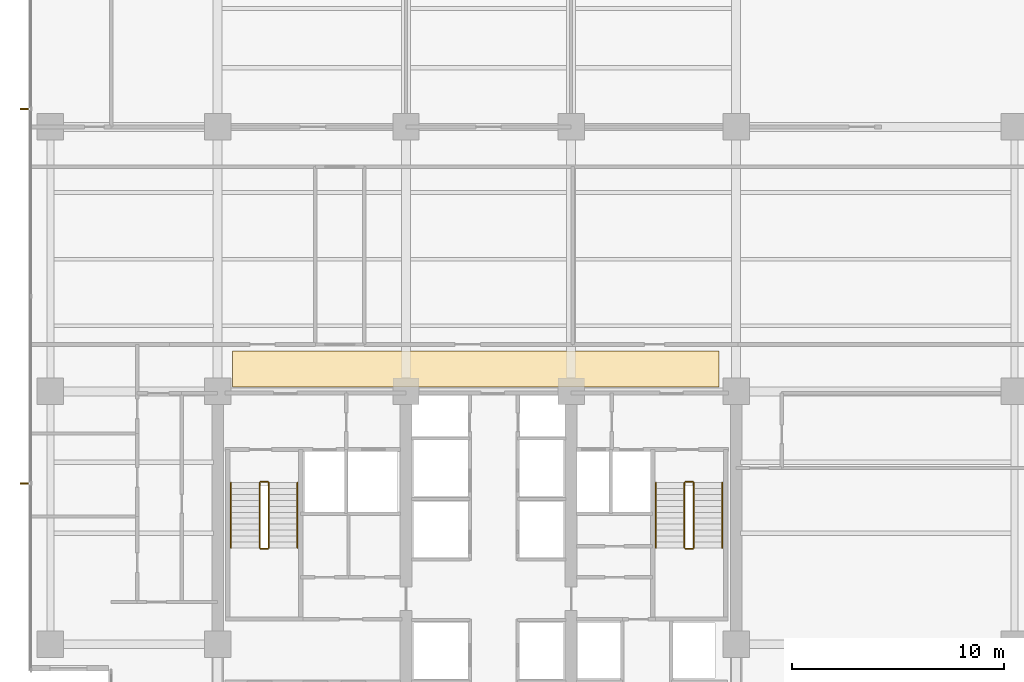
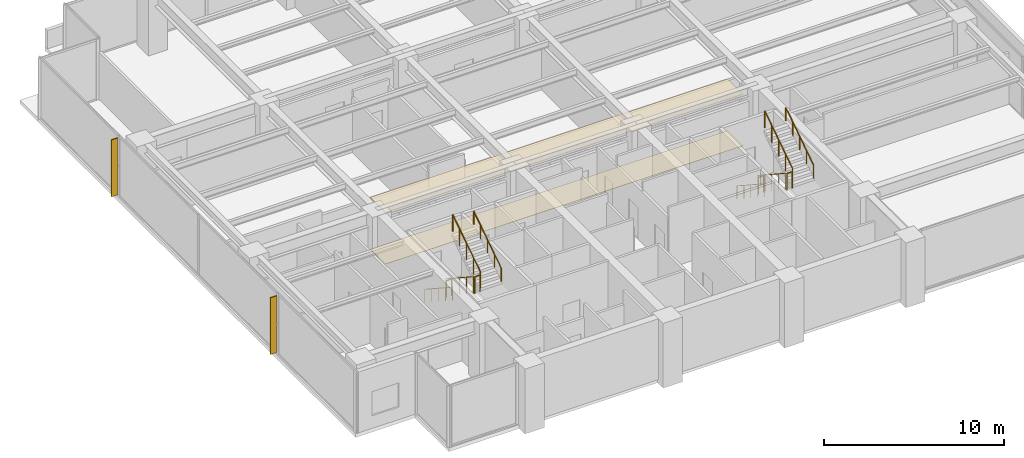
# One storey, part 15 of 16: 12 railings, 2 coverings, 2 shading devices.
"""IFC4 building model written with IfcOpenShell, lengths in metres."""

import ifcopenshell
import ifcopenshell.guid

model = None  # the IFC model being written
_history = None  # IfcOwnerHistory: only IFC2X3 demands one
_inside = {}  # id of a spatial element -> (the spatial element, [elements in it])
_under = {}  # id of a project, library or spatial element -> (it, [spatial elements below it])
_declared = {}  # id of a project -> (the project, [libraries it declares])
_typed = {}  # id of a type object -> (the type object, [elements of that type])
_made_of = {}  # id of a material, layer set ... -> (it, [elements and type objects made of it])


def new_model(schema):
    """Start an empty IFC model of exactly this schema.

    Asked for "IFC4X3", IfcOpenShell would pick the latest addendum, in which some entities
    have other attributes; the version numbers below select the first issue.
    IFC2X3 requires an IfcOwnerHistory on every rooted entity: one is made here for all.
    """
    global model, _history
    if schema == "IFC4X3":
        model = ifcopenshell.file(schema_version=(4, 3, 0, 0))
    else:
        model = ifcopenshell.file(schema=schema)
    _inside.clear()
    _under.clear()
    _declared.clear()
    _typed.clear()
    _made_of.clear()
    _history = None
    if model.schema == "IFC2X3":
        org = make("IfcOrganization", Name="unknown")
        user = make(
            "IfcPersonAndOrganization",
            ThePerson=make("IfcPerson", FamilyName="unknown"),
            TheOrganization=org,
        )
        app = make(
            "IfcApplication",
            ApplicationDeveloper=org,
            Version="unknown",
            ApplicationFullName="unknown",
            ApplicationIdentifier="unknown",
        )
        _history = make(
            "IfcOwnerHistory",
            OwningUser=user,
            OwningApplication=app,
            ChangeAction="ADDED",
            CreationDate=0,
        )
    return model


def make(cls, **values):
    """One entity of the class cls with the attributes given. An attribute that is None is left unset."""
    return model.create_entity(
        cls, **{name: value for name, value in values.items() if value is not None}
    )


def rooted(cls, **values):
    """An entity with a GlobalId (a new one), such as an element, a storey or a relation."""
    return make(cls, GlobalId=ifcopenshell.guid.new(), OwnerHistory=_history, **values)


def si_unit(unit_type, name, prefix=None):
    """IfcSIUnit, for example si_unit("LENGTHUNIT", "METRE", prefix="MILLI")."""
    return make("IfcSIUnit", UnitType=unit_type, Prefix=prefix, Name=name)


def assignment(units):
    """IfcUnitAssignment: the units of a project."""
    return None if units is None else make("IfcUnitAssignment", Units=units)


def point(xyz):
    """IfcCartesianPoint."""
    return None if xyz is None else make("IfcCartesianPoint", Coordinates=xyz)


def direction(xyz):
    """IfcDirection."""
    return None if xyz is None else make("IfcDirection", DirectionRatios=xyz)


def frame(location, z_axis=None, x_axis=None):
    """IfcAxis2Placement3D, a coordinate frame: its origin and axes. An axis left out is left unset."""
    return make(
        "IfcAxis2Placement3D",
        Location=point(location),
        Axis=direction(z_axis),
        RefDirection=direction(x_axis),
    )


def frame_2d(location, x_axis=None):
    """IfcAxis2Placement2D, a coordinate frame in the plane: its origin and x axis."""
    return make(
        "IfcAxis2Placement2D", Location=point(location), RefDirection=direction(x_axis)
    )


def origin():
    """The frame at (0, 0, 0) with its axes left unset."""
    return frame((0.0, 0.0, 0.0))


def origin_2d():
    """The frame at (0, 0) in the plane with its x axis left unset."""
    return frame_2d((0.0, 0.0))


def place(relative_to, where):
    """IfcLocalPlacement: puts the frame where relative to a parent placement (None: the world)."""
    return make(
        "IfcLocalPlacement", PlacementRelTo=relative_to, RelativePlacement=where
    )


def context(
    kind, dimensions, precision=None, world=None, true_north=None, identifier=None
):
    """IfcGeometricRepresentationContext, for example the 3D "Model" context."""
    return make(
        "IfcGeometricRepresentationContext",
        ContextIdentifier=identifier,
        ContextType=kind,
        CoordinateSpaceDimension=dimensions,
        Precision=precision,
        WorldCoordinateSystem=world,
        TrueNorth=true_north,
    )


def subcontext(parent, identifier, kind, view, scale=None):
    """IfcGeometricRepresentationSubContext, for example "Body" below "Model"."""
    return make(
        "IfcGeometricRepresentationSubContext",
        ContextIdentifier=identifier,
        ContextType=kind,
        ParentContext=parent,
        TargetScale=scale,
        TargetView=view,
    )


def project(units=None, contexts=None):
    """IfcProject with its units and contexts."""
    return rooted(
        "IfcProject",
        Name="project",
        RepresentationContexts=contexts,
        UnitsInContext=assignment(units),
    )


def spatial(cls, under=None, at=None, **own):
    """A site, building, storey or space (cls), placed at a placement, below another one or the project."""
    s = rooted(cls, ObjectPlacement=at, **own)
    if under is not None:
        _under.setdefault(under.id(), (under, []))[1].append(s)
    return s


def polyline(points):
    """IfcPolyline through the points."""
    return make("IfcPolyline", Points=[point(p) for p in points])


def profile(cls, at=None, kind="AREA", **sizes):
    """A parametric profile (cls). Its sizes go by their IFC names, for example OverallWidth=200.0."""
    return make(cls, ProfileType=kind, Position=at, **sizes)


def circle(**sizes):
    """IfcCircleProfileDef."""
    return profile("IfcCircleProfileDef", **sizes)


def outline(outer, holes=None, kind="AREA"):
    """IfcArbitraryClosedProfileDef: a profile drawn as a closed curve; with holes, ...WithVoids."""
    if holes is None:
        return make("IfcArbitraryClosedProfileDef", ProfileType=kind, OuterCurve=outer)
    return make(
        "IfcArbitraryProfileDefWithVoids",
        ProfileType=kind,
        OuterCurve=outer,
        InnerCurves=holes,
    )


def extrude(swept, where, along, depth):
    """IfcExtrudedAreaSolid: the profile swept, set in the frame where, extruded along a direction by depth."""
    return make(
        "IfcExtrudedAreaSolid",
        SweptArea=swept,
        Position=where,
        ExtrudedDirection=direction(along),
        Depth=depth,
    )


def shape(context_of_items, identifier, shape_type, items):
    """IfcShapeRepresentation: the items that make up one representation, for example the "Body"."""
    return make(
        "IfcShapeRepresentation",
        ContextOfItems=context_of_items,
        RepresentationIdentifier=identifier,
        RepresentationType=shape_type,
        Items=items,
    )


def material(Name=None, Category=None):
    """IfcMaterial."""
    return make("IfcMaterial", Name=Name, Category=Category)


def layer(
    of_material, thickness, ventilated=None, Name=None, Category=None, Priority=None
):
    """IfcMaterialLayer: one layer of a wall or slab, of a material (None: an air gap)."""
    return make(
        "IfcMaterialLayer",
        Material=of_material,
        LayerThickness=thickness,
        IsVentilated=ventilated,
        Name=Name,
        Category=Category,
        Priority=Priority,
    )


def layer_set(layers, Name=None):
    """IfcMaterialLayerSet."""
    return make("IfcMaterialLayerSet", MaterialLayers=layers, LayerSetName=Name)


def made_of(thing, what):
    """Note that an element or type object is made of a material, layer set ...; save() writes the relation."""
    if what is not None:
        _made_of.setdefault(what.id(), (what, []))[1].append(thing)
    return thing


def type_object(cls, material=None, **own):
    """A type object (cls), such as IfcWallType, which elements share."""
    return made_of(rooted(cls, **own), material)


def element(
    cls,
    number,
    at=None,
    inside=None,
    cuts=None,
    type_object=None,
    material=None,
    context=None,
    identifier="Body",
    shape_type=None,
    held_by="IfcProductDefinitionShape",
    body=None,
    shapes=None,
    **own,
):
    """One element of the class cls, such as IfcWall. Its Tag is "e" and its number.

    at: its placement. inside: the storey or other place that contains it. cuts: it is an
    opening in that element (IfcRelVoidsElement). A single representation is given by context,
    identifier, shape_type and body (its items); several are given by shapes. held_by: the class
    of the entity that holds the representations. save() writes the other relations.
    """
    e = rooted(cls, Tag="e%d" % number, ObjectPlacement=at, **own)
    if body is not None:
        shapes = [shape(context, identifier, shape_type, body)]
    if shapes is not None:
        e.Representation = make(held_by, Representations=shapes)
    if inside is not None:
        _inside.setdefault(inside.id(), (inside, []))[1].append(e)
    if cuts is not None:
        rooted(
            "IfcRelVoidsElement", RelatingBuildingElement=cuts, RelatedOpeningElement=e
        )
    if type_object is not None:
        _typed.setdefault(type_object.id(), (type_object, []))[1].append(e)
    return made_of(e, material)


def aggregate(whole, parts):
    """IfcRelAggregates: a whole, such as a stair, and the parts it consists of."""
    return rooted("IfcRelAggregates", RelatingObject=whole, RelatedObjects=parts)


def save(model, path):
    """Write the relations noted so far, then the file.

    IfcRelAggregates (storeys below a building ...), IfcRelContainedInSpatialStructure (elements
    in a storey), IfcRelDefinesByType, IfcRelAssociatesMaterial and IfcRelDeclares: one each for
    every whole, place, type object, material and project.
    """
    for whole, parts in _under.values():
        aggregate(whole, parts)
    for where, things in _inside.values():
        rooted(
            "IfcRelContainedInSpatialStructure",
            RelatedElements=things,
            RelatingStructure=where,
        )
    for kind, things in _typed.values():
        rooted("IfcRelDefinesByType", RelatedObjects=things, RelatingType=kind)
    for what, things in _made_of.values():
        rooted("IfcRelAssociatesMaterial", RelatedObjects=things, RelatingMaterial=what)
    for by, libraries in _declared.values():
        rooted("IfcRelDeclares", RelatingContext=by, RelatedDefinitions=libraries)
    model.write(path)


model = new_model("IFC4")

# Units and contexts
model_context = context("Model", 3, precision=1e-05, world=origin(), true_north=direction((0.0, 1.0)))
body_context = subcontext(model_context, "Body", "Model", "MODEL_VIEW")
ifc_project = project(units=[si_unit("LENGTHUNIT", "METRE"), si_unit("AREAUNIT", "SQUARE_METRE"), si_unit("VOLUMEUNIT", "CUBIC_METRE"), si_unit("PLANEANGLEUNIT", "RADIAN"), si_unit("MASSUNIT", "GRAM", prefix="KILO")], contexts=[model_context])

# Site, building, storey
site_placement = place(None, origin())
site = spatial("IfcSite", under=ifc_project, at=site_placement, CompositionType="ELEMENT")
building_placement = place(site_placement, origin())
building = spatial("IfcBuilding", under=site, at=building_placement, Name="Qalmaran Belvedere Hotel", CompositionType="ELEMENT")
storey_placement = place(building_placement, frame((0.0, 0.0, 83.800048828125)))
storey = spatial("IfcBuildingStorey", under=building, at=storey_placement, Name="L20", CompositionType="ELEMENT", Elevation=83.800048828125)

# Covering
ifc_material_1 = material(Name="Acoustic Mineral Ceiling")
ifc_layer_1 = layer(ifc_material_1, 0.0400390625, Name="Acoustic Mineral Ceiling")
ifc_layer_set_1 = layer_set([ifc_layer_1], Name="Acoustic Mineral Ceiling")
covering_type_1 = type_object("IfcCoveringType", Name="CLG-ACOUSTIC-40", PredefinedType="CEILING", material=ifc_layer_set_1)
covering_1_placement = place(storey_placement, frame((0.0, 0.0, 3.489990234375)))
element("IfcCovering", 1, at=covering_1_placement, inside=storey, type_object=covering_type_1, Name="L20 Acoustic Corridor Ceiling", PredefinedType="CEILING", context=body_context, shape_type="SweptSolid", body=[
    extrude(outline(polyline([(21.0, 20.699951171875), (44.0, 20.699951171875), (44.0, 22.39990234375), (21.0, 22.39990234375), (21.0, 20.699951171875)])), origin(), (0.0, 0.0, 1.0), 0.0400390625),
])

# Shading devices
ifc_material_2 = material(Name="Anodised Bronze Aluminium", Category="aluminium")
ifc_layer_2 = layer(ifc_material_2, 0.06494140625, Name="Anodised Bronze Aluminium")
ifc_layer_set_2 = layer_set([ifc_layer_2], Name="Anodised Bronze Aluminium")
shading_device_type = type_object("IfcShadingDeviceType", Name="FIN-BRNZ-420", PredefinedType="USERDEFINED", material=ifc_layer_set_2)
shading_device_1_placement = place(storey_placement, frame((0.0, 0.0, 0.159912109375)))
element("IfcShadingDevice", 2, at=shading_device_1_placement, inside=storey, type_object=shading_device_type, Name="L20 Bronze Fin 1", ObjectType="FIN", PredefinedType="USERDEFINED", context=body_context, shape_type="SweptSolid", body=[
    extrude(outline(polyline([(11.3798828125, 33.882568359375), (10.9599609375, 33.882568359375), (10.9599609375, 33.8173828125), (11.3798828125, 33.8173828125), (11.3798828125, 33.882568359375)])), origin(), (0.0, 0.0, 1.0), 3.860107421875),
])
shading_device_2_placement = place(storey_placement, frame((0.0, 0.0, 0.159912109375)))
element("IfcShadingDevice", 3, at=shading_device_2_placement, inside=storey, type_object=shading_device_type, Name="L20 Bronze Fin 3", ObjectType="FIN", PredefinedType="USERDEFINED", context=body_context, shape_type="SweptSolid", body=[
    extrude(outline(polyline([(11.3798828125, 16.1826171875), (10.9599609375, 16.1826171875), (10.9599609375, 16.117431640625), (11.3798828125, 16.117431640625), (11.3798828125, 16.1826171875)])), origin(), (0.0, 0.0, 1.0), 3.860107421875),
])

# Covering
ifc_material_3 = material(Name="Polished Stone Terrazzo", Category="masonry")
ifc_layer_3 = layer(ifc_material_3, 0.01806640625, Name="Polished Stone Terrazzo")
ifc_layer_set_3 = layer_set([ifc_layer_3], Name="Polished Stone Terrazzo")
covering_type_2 = type_object("IfcCoveringType", Name="FIN-TERRAZZO-18", PredefinedType="FLOORING", material=ifc_layer_set_3)
covering_2_placement = place(storey_placement, frame((0.0, 0.0, 0.001953125)))
element("IfcCovering", 4, at=covering_2_placement, inside=storey, type_object=covering_type_2, Name="L20 Limestone Corridor Flooring", PredefinedType="FLOORING", context=body_context, shape_type="SweptSolid", body=[
    extrude(outline(polyline([(21.0, 20.699951171875), (44.0, 20.699951171875), (44.0, 22.39990234375), (21.0, 22.39990234375), (21.0, 20.699951171875)])), origin(), (0.0, 0.0, 1.0), 0.01806640625),
])

# Railings
ifc_material_4 = material(Name="Stainless Steel 1.4401", Category="steel")
railing_type_1 = type_object("IfcRailingType", Name="RLG-STAIR-GUARD-1150", PredefinedType="GUARDRAIL", material=ifc_material_4)
railing_1_placement = place(storey_placement, frame((22.280029296875, 16.18994140625, 0.183349609375)))
element("IfcRailing", 5, at=railing_1_placement, inside=storey, type_object=railing_type_1, Name="L20 ST-1 stair guard 1", PredefinedType="GUARDRAIL", context=body_context, shape_type="SweptSolid", body=[
    extrude(circle(Radius=0.02392578125, at=origin_2d()), frame((0.0, 0.0, 1.1259765625), z_axis=(0.0, -0.836613101238, 0.547794230379), x_axis=(1.0, 0.0, 0.0)), (0.0, 0.0, 1.0), 3.681396484375),
    extrude(circle(Radius=0.02099609375, at=origin_2d()), origin(), (0.0, 0.0, 1.0), 1.101806640625),
    extrude(circle(Radius=0.02099609375, at=origin_2d()), frame((0.0, -0.77001953125, 0.504150390625)), (0.0, 0.0, 1.0), 1.101806640625),
    extrude(circle(Radius=0.02099609375, at=origin_2d()), frame((0.0, -1.5400390625, 1.00830078125)), (0.0, 0.0, 1.0), 1.101806640625),
    extrude(circle(Radius=0.02099609375, at=origin_2d()), frame((0.0, -2.309814453125, 1.512451171875)), (0.0, 0.0, 1.0), 1.101806640625),
    extrude(circle(Radius=0.02099609375, at=origin_2d()), frame((0.0, -3.079833984375, 2.0166015625)), (0.0, 0.0, 1.0), 1.101806640625),
])
railing_2_placement = place(storey_placement, frame((22.330078125, 13.06005859375, 2.199951171875)))
element("IfcRailing", 6, at=railing_2_placement, inside=storey, type_object=railing_type_1, Name="L20 ST-1 stair guard 2", PredefinedType="GUARDRAIL", context=body_context, shape_type="SweptSolid", body=[
    extrude(circle(Radius=0.02392578125, at=origin_2d()), frame((0.0, 0.0, 1.1259765625), z_axis=(1.0, 0.0, 0.0), x_axis=(0.0, 1.0, 0.0)), (0.0, 0.0, 1.0), 0.33984375),
    extrude(circle(Radius=0.02099609375, at=origin_2d()), origin(), (0.0, 0.0, 1.0), 1.101806640625),
    extrude(circle(Radius=0.02099609375, at=origin_2d()), frame((0.33984375, 0.0, 0.0)), (0.0, 0.0, 1.0), 1.101806640625),
])
railing_3_placement = place(storey_placement, frame((22.719970703125, 13.110107421875, 2.38330078125)))
element("IfcRailing", 7, at=railing_3_placement, inside=storey, type_object=railing_type_1, Name="L20 ST-1 stair guard 3", PredefinedType="GUARDRAIL", context=body_context, shape_type="SweptSolid", body=[
    extrude(circle(Radius=0.02392578125, at=origin_2d()), frame((0.0, 0.0, 1.1259765625), z_axis=(0.0, 0.836613101238, 0.547794230379), x_axis=(-1.0, 0.0, 0.0)), (0.0, 0.0, 1.0), 3.681396484375),
    extrude(circle(Radius=0.02099609375, at=origin_2d()), origin(), (0.0, 0.0, 1.0), 1.101806640625),
    extrude(circle(Radius=0.02099609375, at=origin_2d()), frame((0.0, 0.77001953125, 0.504150390625)), (0.0, 0.0, 1.0), 1.101806640625),
    extrude(circle(Radius=0.02099609375, at=origin_2d()), frame((0.0, 1.5400390625, 1.00830078125)), (0.0, 0.0, 1.0), 1.101806640625),
    extrude(circle(Radius=0.02099609375, at=origin_2d()), frame((0.0, 2.309814453125, 1.512451171875)), (0.0, 0.0, 1.0), 1.101806640625),
    extrude(circle(Radius=0.02099609375, at=origin_2d()), frame((0.0, 3.079833984375, 2.0166015625)), (0.0, 0.0, 1.0), 1.101806640625),
])
railing_4_placement = place(storey_placement, frame((22.330078125, 16.239990234375, 0.0)))
element("IfcRailing", 8, at=railing_4_placement, inside=storey, type_object=railing_type_1, Name="L20 ST-1 stair guard 4", PredefinedType="GUARDRAIL", context=body_context, shape_type="SweptSolid", body=[
    extrude(circle(Radius=0.02392578125, at=origin_2d()), frame((0.0, 0.0, 1.1259765625), z_axis=(1.0, 0.0, 0.0), x_axis=(0.0, 1.0, 0.0)), (0.0, 0.0, 1.0), 0.33984375),
    extrude(circle(Radius=0.02099609375, at=origin_2d()), origin(), (0.0, 0.0, 1.0), 1.101806640625),
    extrude(circle(Radius=0.02099609375, at=origin_2d()), frame((0.33984375, 0.0, 0.0)), (0.0, 0.0, 1.0), 1.101806640625),
])
railing_5_placement = place(storey_placement, frame((42.360107421875, 16.18994140625, 0.183349609375)))
element("IfcRailing", 9, at=railing_5_placement, inside=storey, type_object=railing_type_1, Name="L20 ST-2 stair guard 1", PredefinedType="GUARDRAIL", context=body_context, shape_type="SweptSolid", body=[
    extrude(circle(Radius=0.02392578125, at=origin_2d()), frame((0.0, 0.0, 1.1259765625), z_axis=(0.0, -0.836613101238, 0.547794230379), x_axis=(1.0, 0.0, 0.0)), (0.0, 0.0, 1.0), 3.681396484375),
    extrude(circle(Radius=0.02099609375, at=origin_2d()), origin(), (0.0, 0.0, 1.0), 1.101806640625),
    extrude(circle(Radius=0.02099609375, at=origin_2d()), frame((0.0, -0.77001953125, 0.504150390625)), (0.0, 0.0, 1.0), 1.101806640625),
    extrude(circle(Radius=0.02099609375, at=origin_2d()), frame((0.0, -1.5400390625, 1.00830078125)), (0.0, 0.0, 1.0), 1.101806640625),
    extrude(circle(Radius=0.02099609375, at=origin_2d()), frame((0.0, -2.309814453125, 1.512451171875)), (0.0, 0.0, 1.0), 1.101806640625),
    extrude(circle(Radius=0.02099609375, at=origin_2d()), frame((0.0, -3.079833984375, 2.0166015625)), (0.0, 0.0, 1.0), 1.101806640625),
])
railing_6_placement = place(storey_placement, frame((42.409912109375, 13.06005859375, 2.199951171875)))
element("IfcRailing", 10, at=railing_6_placement, inside=storey, type_object=railing_type_1, Name="L20 ST-2 stair guard 2", PredefinedType="GUARDRAIL", context=body_context, shape_type="SweptSolid", body=[
    extrude(circle(Radius=0.02392578125, at=origin_2d()), frame((0.0, 0.0, 1.1259765625), z_axis=(1.0, 0.0, 0.0), x_axis=(0.0, 1.0, 0.0)), (0.0, 0.0, 1.0), 0.340087890625),
    extrude(circle(Radius=0.02099609375, at=origin_2d()), origin(), (0.0, 0.0, 1.0), 1.101806640625),
    extrude(circle(Radius=0.02099609375, at=origin_2d()), frame((0.340087890625, 0.0, 0.0)), (0.0, 0.0, 1.0), 1.101806640625),
])
railing_7_placement = place(storey_placement, frame((42.800048828125, 13.110107421875, 2.38330078125)))
element("IfcRailing", 11, at=railing_7_placement, inside=storey, type_object=railing_type_1, Name="L20 ST-2 stair guard 3", PredefinedType="GUARDRAIL", context=body_context, shape_type="SweptSolid", body=[
    extrude(circle(Radius=0.02392578125, at=origin_2d()), frame((0.0, 0.0, 1.1259765625), z_axis=(0.0, 0.836613101238, 0.547794230379), x_axis=(-1.0, 0.0, 0.0)), (0.0, 0.0, 1.0), 3.681396484375),
    extrude(circle(Radius=0.02099609375, at=origin_2d()), origin(), (0.0, 0.0, 1.0), 1.101806640625),
    extrude(circle(Radius=0.02099609375, at=origin_2d()), frame((0.0, 0.77001953125, 0.504150390625)), (0.0, 0.0, 1.0), 1.101806640625),
    extrude(circle(Radius=0.02099609375, at=origin_2d()), frame((0.0, 1.5400390625, 1.00830078125)), (0.0, 0.0, 1.0), 1.101806640625),
    extrude(circle(Radius=0.02099609375, at=origin_2d()), frame((0.0, 2.309814453125, 1.512451171875)), (0.0, 0.0, 1.0), 1.101806640625),
    extrude(circle(Radius=0.02099609375, at=origin_2d()), frame((0.0, 3.079833984375, 2.0166015625)), (0.0, 0.0, 1.0), 1.101806640625),
])
railing_8_placement = place(storey_placement, frame((42.409912109375, 16.239990234375, 0.0)))
element("IfcRailing", 12, at=railing_8_placement, inside=storey, type_object=railing_type_1, Name="L20 ST-2 stair guard 4", PredefinedType="GUARDRAIL", context=body_context, shape_type="SweptSolid", body=[
    extrude(circle(Radius=0.02392578125, at=origin_2d()), frame((0.0, 0.0, 1.1259765625), z_axis=(1.0, 0.0, 0.0), x_axis=(0.0, 1.0, 0.0)), (0.0, 0.0, 1.0), 0.340087890625),
    extrude(circle(Radius=0.02099609375, at=origin_2d()), origin(), (0.0, 0.0, 1.0), 1.101806640625),
    extrude(circle(Radius=0.02099609375, at=origin_2d()), frame((0.340087890625, 0.0, 0.0)), (0.0, 0.0, 1.0), 1.101806640625),
])
railing_type_2 = type_object("IfcRailingType", Name="RLG-STAIR-HAND-910", PredefinedType="HANDRAIL", material=ifc_material_4)
railing_9_placement = place(storey_placement, frame((20.929931640625, 16.18994140625, 0.183349609375)))
element("IfcRailing", 13, at=railing_9_placement, inside=storey, type_object=railing_type_2, Name="L20 ST-1 stair handrail 1", PredefinedType="HANDRAIL", context=body_context, shape_type="SweptSolid", body=[
    extrude(circle(Radius=0.02392578125, at=origin_2d()), frame((0.0, 0.0, 0.8857421875), z_axis=(0.0, -0.836613101238, 0.547794230379), x_axis=(1.0, 0.0, 0.0)), (0.0, 0.0, 1.0), 3.681396484375),
    extrude(circle(Radius=0.02099609375, at=origin_2d()), origin(), (0.0, 0.0, 1.0), 0.86181640625),
    extrude(circle(Radius=0.02099609375, at=origin_2d()), frame((0.0, -0.77001953125, 0.504150390625)), (0.0, 0.0, 1.0), 0.86181640625),
    extrude(circle(Radius=0.02099609375, at=origin_2d()), frame((0.0, -1.5400390625, 1.00830078125)), (0.0, 0.0, 1.0), 0.86181640625),
    extrude(circle(Radius=0.02099609375, at=origin_2d()), frame((0.0, -2.309814453125, 1.512451171875)), (0.0, 0.0, 1.0), 0.86181640625),
    extrude(circle(Radius=0.02099609375, at=origin_2d()), frame((0.0, -3.079833984375, 2.0166015625)), (0.0, 0.0, 1.0), 0.86181640625),
])
railing_10_placement = place(storey_placement, frame((24.070068359375, 13.110107421875, 2.38330078125)))
element("IfcRailing", 14, at=railing_10_placement, inside=storey, type_object=railing_type_2, Name="L20 ST-1 stair handrail 2", PredefinedType="HANDRAIL", context=body_context, shape_type="SweptSolid", body=[
    extrude(circle(Radius=0.02392578125, at=origin_2d()), frame((0.0, 0.0, 0.8857421875), z_axis=(0.0, 0.836613101238, 0.547794230379), x_axis=(-1.0, 0.0, 0.0)), (0.0, 0.0, 1.0), 3.681396484375),
    extrude(circle(Radius=0.02099609375, at=origin_2d()), origin(), (0.0, 0.0, 1.0), 0.86181640625),
    extrude(circle(Radius=0.02099609375, at=origin_2d()), frame((0.0, 0.77001953125, 0.504150390625)), (0.0, 0.0, 1.0), 0.86181640625),
    extrude(circle(Radius=0.02099609375, at=origin_2d()), frame((0.0, 1.5400390625, 1.00830078125)), (0.0, 0.0, 1.0), 0.86181640625),
    extrude(circle(Radius=0.02099609375, at=origin_2d()), frame((0.0, 2.309814453125, 1.512451171875)), (0.0, 0.0, 1.0), 0.86181640625),
    extrude(circle(Radius=0.02099609375, at=origin_2d()), frame((0.0, 3.079833984375, 2.0166015625)), (0.0, 0.0, 1.0), 0.86181640625),
])
railing_11_placement = place(storey_placement, frame((41.010009765625, 16.18994140625, 0.183349609375)))
element("IfcRailing", 15, at=railing_11_placement, inside=storey, type_object=railing_type_2, Name="L20 ST-2 stair handrail 1", PredefinedType="HANDRAIL", context=body_context, shape_type="SweptSolid", body=[
    extrude(circle(Radius=0.02392578125, at=origin_2d()), frame((0.0, 0.0, 0.8857421875), z_axis=(0.0, -0.836613101238, 0.547794230379), x_axis=(1.0, 0.0, 0.0)), (0.0, 0.0, 1.0), 3.681396484375),
    extrude(circle(Radius=0.02099609375, at=origin_2d()), origin(), (0.0, 0.0, 1.0), 0.86181640625),
    extrude(circle(Radius=0.02099609375, at=origin_2d()), frame((0.0, -0.77001953125, 0.504150390625)), (0.0, 0.0, 1.0), 0.86181640625),
    extrude(circle(Radius=0.02099609375, at=origin_2d()), frame((0.0, -1.5400390625, 1.00830078125)), (0.0, 0.0, 1.0), 0.86181640625),
    extrude(circle(Radius=0.02099609375, at=origin_2d()), frame((0.0, -2.309814453125, 1.512451171875)), (0.0, 0.0, 1.0), 0.86181640625),
    extrude(circle(Radius=0.02099609375, at=origin_2d()), frame((0.0, -3.079833984375, 2.0166015625)), (0.0, 0.0, 1.0), 0.86181640625),
])
railing_12_placement = place(storey_placement, frame((44.14990234375, 13.110107421875, 2.38330078125)))
element("IfcRailing", 16, at=railing_12_placement, inside=storey, type_object=railing_type_2, Name="L20 ST-2 stair handrail 2", PredefinedType="HANDRAIL", context=body_context, shape_type="SweptSolid", body=[
    extrude(circle(Radius=0.02392578125, at=origin_2d()), frame((0.0, 0.0, 0.8857421875), z_axis=(0.0, 0.836613101238, 0.547794230379), x_axis=(-1.0, 0.0, 0.0)), (0.0, 0.0, 1.0), 3.681396484375),
    extrude(circle(Radius=0.02099609375, at=origin_2d()), origin(), (0.0, 0.0, 1.0), 0.86181640625),
    extrude(circle(Radius=0.02099609375, at=origin_2d()), frame((0.0, 0.77001953125, 0.504150390625)), (0.0, 0.0, 1.0), 0.86181640625),
    extrude(circle(Radius=0.02099609375, at=origin_2d()), frame((0.0, 1.5400390625, 1.00830078125)), (0.0, 0.0, 1.0), 0.86181640625),
    extrude(circle(Radius=0.02099609375, at=origin_2d()), frame((0.0, 2.309814453125, 1.512451171875)), (0.0, 0.0, 1.0), 0.86181640625),
    extrude(circle(Radius=0.02099609375, at=origin_2d()), frame((0.0, 3.079833984375, 2.0166015625)), (0.0, 0.0, 1.0), 0.86181640625),
])

save(model, "model.ifc")
